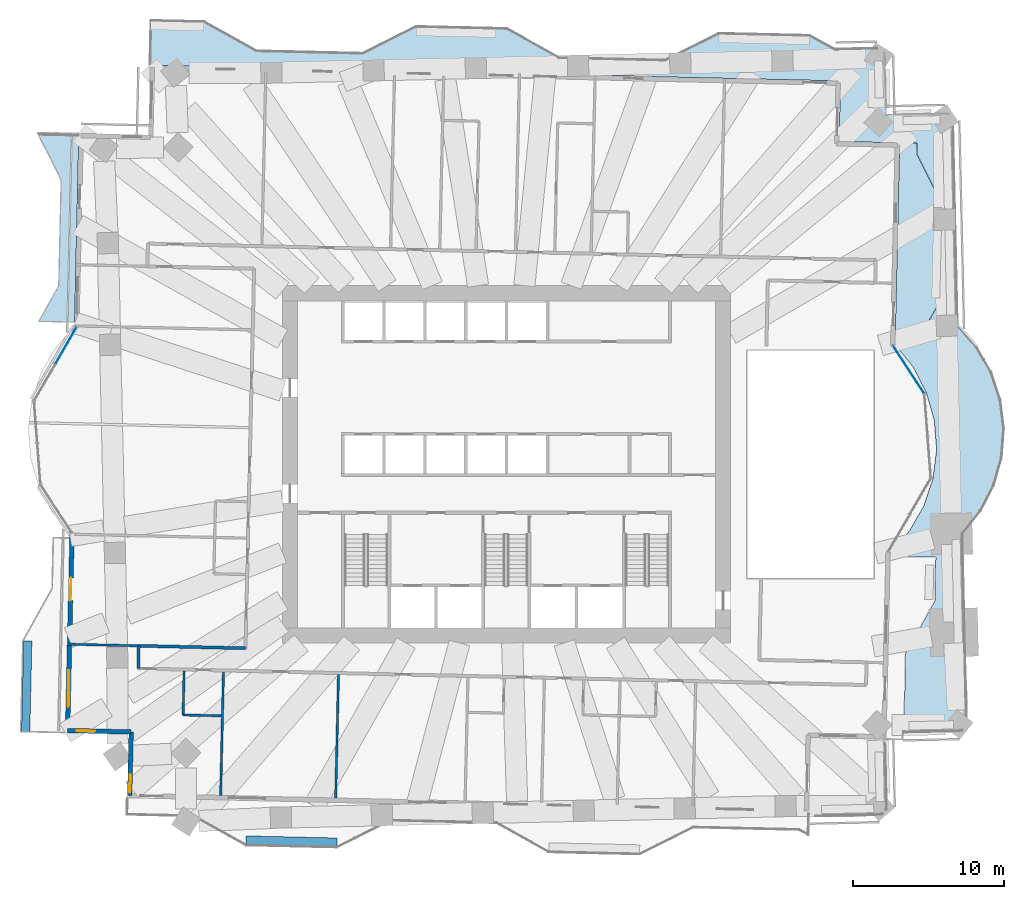
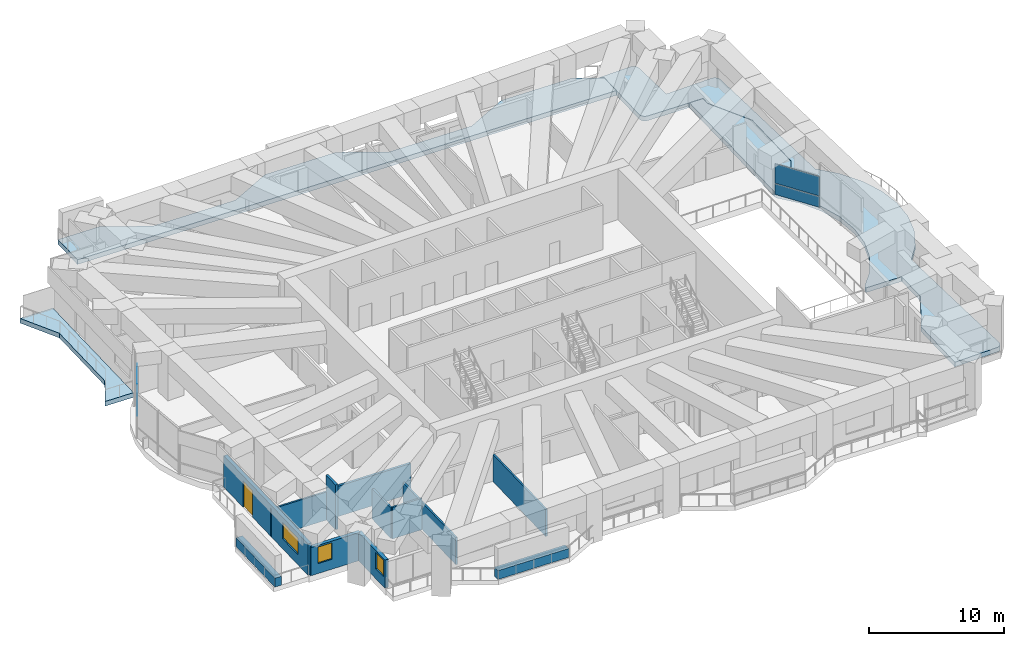
# One storey, part 9 of 20: 12 walls, 4 plates, 4 slabs, 3 windows, 1 door, 4 openings, 2 elements without a shape of their own.
"""IFC4 building model written with IfcOpenShell, lengths in metres."""

from ifc_helpers import new_model, si_unit, direction, frame, frame_2d, origin, origin_2d, place, context, subcontext, project, spatial, polyline, rectangle, outline, extrude, material, layer, layer_set, type_object, element, fill, aggregate, save


model = new_model("IFC4")

# Units and contexts
model_context = context("Model", 3, precision=1e-05, world=origin(), true_north=direction((0.0, 1.0)))
body_context = subcontext(model_context, "Body", "Model", "MODEL_VIEW")
ifc_project = project(units=[si_unit("LENGTHUNIT", "METRE"), si_unit("AREAUNIT", "SQUARE_METRE"), si_unit("VOLUMEUNIT", "CUBIC_METRE"), si_unit("PLANEANGLEUNIT", "RADIAN"), si_unit("MASSUNIT", "GRAM", prefix="KILO")], contexts=[model_context])

# Site, building, storey
site_placement = place(None, origin())
site = spatial("IfcSite", under=ifc_project, at=site_placement, CompositionType="ELEMENT")
building_placement = place(site_placement, origin())
building = spatial("IfcBuilding", under=site, at=building_placement, Name="Mangrove Gate Tower", CompositionType="ELEMENT")
storey_placement = place(building_placement, frame((0.0, 0.0, 97.300048828125)))
storey = spatial("IfcBuildingStorey", under=building, at=storey_placement, Name="L24", CompositionType="ELEMENT", Elevation=97.300048828125)

# Slabs
ifc_material_1 = material(Name="Porcelain tile")
ifc_layer_1 = layer(ifc_material_1, 0.02001953125, Name="Tile finish")
ifc_material_2 = material(Name="Cement sand screed")
ifc_layer_2 = layer(ifc_material_2, 0.0400390625, Name="Screed laid to falls")
ifc_material_3 = material(Name="Bituminous waterproofing membrane")
ifc_layer_3 = layer(ifc_material_3, 0.00390625, Name="Waterproofing")
ifc_material_4 = material(Name="Concrete C40/50", Category="concrete")
ifc_layer_4 = layer(ifc_material_4, 0.340087890625, Name="Balcony structural slab")
ifc_material_5 = material(Name="Limestone", Category="masonry")
ifc_layer_5 = layer(ifc_material_5, 0.01611328125, Name="Soffit lining")
ifc_layer_set_1 = layer_set([ifc_layer_1, ifc_layer_2, ifc_layer_3, ifc_layer_4, ifc_layer_5], Name="Balcony slab 420 C40/50")
slab_type_1 = type_object("IfcSlabType", Name="Balcony slab 420 C40/50", PredefinedType="FLOOR", material=ifc_layer_set_1)
slab_1_placement = place(storey_placement, frame((0.0, 0.0, -0.420166015625)))
element("IfcSlab", 1, at=slab_1_placement, inside=storey, type_object=slab_type_1, Name="BALCONY L24 E1", PredefinedType="FLOOR", context=body_context, shape_type="SweptSolid", body=[
    extrude(outline(polyline([(27.12890625, 8.125), (28.712890625, 10.965087890625), (28.84912109375, 16.962890625), (27.0791015625, 20.50390625), (27.094970703125, 21.2041015625), (25.955078125, 21.22998046875), (25.93896484375, 20.530029296875), (25.860107421875, 17.031005859375), (25.72412109375, 11.032958984375), (25.658935546875, 8.158935546875), (27.12890625, 8.125)])), origin(), (0.0, 0.0, 1.0), 0.420166015625),
])
slab_2_placement = place(storey_placement, frame((0.0, 0.0, -0.420166015625)))
element("IfcSlab", 2, at=slab_2_placement, inside=storey, type_object=slab_type_1, Name="BALCONY L24 N0", PredefinedType="FLOOR", context=body_context, shape_type="SweptSolid", body=[
    extrude(outline(polyline([(22.090087890625, 27.197021484375), (20.010986328125, 28.35693359375), (14.012939453125, 28.492919921875), (10.471923828125, 26.722900390625), (3.47412109375, 26.881103515625), (0.01708984375, 28.81005859375), (-5.98193359375, 28.946044921875), (-9.52294921875, 27.177001953125), (-16.52099609375, 27.3349609375), (-19.97802734375, 29.263916015625), (-23.48095703125, 29.343994140625), (-23.549072265625, 26.35400390625), (3.447998046875, 25.741943359375), (22.047119140625, 25.320068359375), (22.090087890625, 27.197021484375)])), origin(), (0.0, 0.0, 1.0), 0.420166015625),
])
slab_3_placement = place(storey_placement, frame((0.0, 0.0, -0.420166015625)))
element("IfcSlab", 3, at=slab_3_placement, inside=storey, type_object=slab_type_1, Name="BALCONY L24 W0", PredefinedType="FLOOR", context=body_context, shape_type="SweptSolid", body=[
    extrude(outline(polyline([(-31.030029296875, 21.923095703125), (-29.4619140625, 18.787109375), (-29.62109375, 11.7880859375), (-30.929931640625, 9.443115234375), (-28.534912109375, 9.387939453125), (-28.48095703125, 11.761962890625), (-28.322998046875, 18.760986328125), (-28.251953125, 21.860107421875), (-31.030029296875, 21.923095703125)])), origin(), (0.0, 0.0, 1.0), 0.420166015625),
])

# Curtain wall, plates
ifc_material_6 = material(Name="Aluminium and glass curtain wall", Category="aluminium")
curtain_wall_type = type_object("IfcCurtainWallType", Name="Sky-lounge glazing wall", PredefinedType="NOTDEFINED", material=ifc_material_6)
curtain_wall_1_placement = place(storey_placement, origin())
curtain_wall_1 = element("IfcCurtainWall", 4, at=curtain_wall_1_placement, inside=storey, type_object=curtain_wall_type, Name="Sky-lounge glazing E1f3", PredefinedType="NOTDEFINED")
ifc_material_7 = material(Name="Laminated low-e glass", Category="glass")
ifc_layer_6 = layer(ifc_material_7, 0.030029296875)
ifc_layer_set_2 = layer_set([ifc_layer_6], Name="Sky-lounge glazing panel 30")
plate_type = type_object("IfcPlateType", Name="Sky-lounge glazing panel 30", PredefinedType="CURTAIN_PANEL", material=ifc_layer_set_2)
plate_1_placement = place(storey_placement, frame((26.5439453125, 6.25927734375, 0.0), z_axis=(0.0, 0.0, 1.0), x_axis=(-0.546235085235, 0.837631918959, 0.0)))
plate_1 = element("IfcPlate", 5, at=plate_1_placement, type_object=plate_type, Name="CWK panel 1.1", PredefinedType="CURTAIN_PANEL", context=body_context, shape_type="SweptSolid", body=[
    extrude(rectangle(XDim=3.696044921875, YDim=0.030029296875, at=origin_2d()), origin(), (0.0, 0.0, 1.0), 0.969970703125),
])
plate_2_placement = place(storey_placement, frame((26.5439453125, 6.25927734375, 1.02978515625), z_axis=(0.0, 0.0, 1.0), x_axis=(-0.546235085235, 0.837631918959, 0.0)))
plate_2 = element("IfcPlate", 6, at=plate_2_placement, type_object=plate_type, Name="CWK panel 1.2", PredefinedType="CURTAIN_PANEL", context=body_context, shape_type="SweptSolid", body=[
    extrude(rectangle(XDim=3.696044921875, YDim=0.030029296875, at=origin_2d()), origin(), (0.0, 0.0, 1.0), 1.760009765625),
])
aggregate(curtain_wall_1, [plate_1, plate_2])

curtain_wall_2_placement = place(storey_placement, origin())
curtain_wall_2 = element("IfcCurtainWall", 7, at=curtain_wall_2_placement, inside=storey, type_object=curtain_wall_type, Name="Sky-lounge glazing W9f1", PredefinedType="NOTDEFINED")
plate_3_placement = place(storey_placement, frame((-29.105712890625, 7.846435546875, 0.0), z_axis=(0.0, 0.0, 1.0), x_axis=(-0.500418160284, -0.865783844189, 0.0)))
plate_3 = element("IfcPlate", 8, at=plate_3_placement, type_object=plate_type, Name="CWK panel 1.1", PredefinedType="CURTAIN_PANEL", context=body_context, shape_type="SweptSolid", body=[
    extrude(rectangle(XDim=2.73095703125, YDim=0.030029296875, at=origin_2d()), origin(), (0.0, 0.0, 1.0), 0.969970703125),
])
plate_4_placement = place(storey_placement, frame((-29.105712890625, 7.846435546875, 1.02978515625), z_axis=(0.0, 0.0, 1.0), x_axis=(-0.500418160284, -0.865783844189, 0.0)))
plate_4 = element("IfcPlate", 9, at=plate_4_placement, type_object=plate_type, Name="CWK panel 1.2", PredefinedType="CURTAIN_PANEL", context=body_context, shape_type="SweptSolid", body=[
    extrude(rectangle(XDim=2.73095703125, YDim=0.030029296875, at=origin_2d()), origin(), (0.0, 0.0, 1.0), 1.760009765625),
])
aggregate(curtain_wall_2, [plate_3, plate_4])

# Slab
ifc_material_8 = material(Name="Granite", Category="masonry")
ifc_layer_7 = layer(ifc_material_8, 0.030029296875, Name="Granite paving")
ifc_layer_8 = layer(ifc_material_2, 0.0400390625, Name="Bedding screed")
ifc_layer_9 = layer(ifc_material_3, 0.0048828125, Name="Waterproofing")
ifc_material_9 = material(Name="Extruded polystyrene insulation")
ifc_layer_10 = layer(ifc_material_9, 0.0400390625, Name="Insulation")
ifc_layer_11 = layer(ifc_material_4, 0.304931640625, Name="Terrace structural slab")
ifc_layer_set_3 = layer_set([ifc_layer_7, ifc_layer_8, ifc_layer_9, ifc_layer_10, ifc_layer_11], Name="Terrace slab C40/50")
slab_type_2 = type_object("IfcSlabType", Name="Terrace slab C40/50", PredefinedType="FLOOR", material=ifc_layer_set_3)
slab_4_placement = place(storey_placement, frame((0.0, 0.0, -0.420166015625)))
element("IfcSlab", 10, at=slab_4_placement, inside=storey, type_object=slab_type_2, Name="TERRACE L24 1", PredefinedType="FLOOR", context=body_context, shape_type="SweptSolid", body=[
    extrude(outline(polyline([(21.742919921875, 27.4140625), (22.10009765625, 27.214111328125), (22.10107421875, 27.212890625), (22.10302734375, 27.2119140625), (22.10400390625, 27.2109375), (22.10595703125, 27.208984375), (22.10693359375, 27.2080078125), (22.10791015625, 27.2060546875), (22.10888671875, 27.2041015625), (22.10888671875, 27.201904296875), (22.110107421875, 27.199951171875), (22.110107421875, 27.198974609375), (22.110107421875, 27.197021484375), (22.06689453125, 25.320068359375), (22.06689453125, 25.318115234375), (22.06689453125, 25.31591796875), (22.06591796875, 25.31396484375), (22.06494140625, 25.31201171875), (22.06396484375, 25.31005859375), (22.06298828125, 25.30908203125), (22.06201171875, 25.306884765625), (22.06103515625, 25.305908203125), (22.05908203125, 25.303955078125), (22.05810546875, 25.302978515625), (22.055908203125, 25.302001953125), (22.053955078125, 25.301025390625), (22.052001953125, 25.301025390625), (22.050048828125, 25.300048828125), (22.049072265625, 25.300048828125), (22.047119140625, 25.300048828125), (21.968017578125, 21.821044921875), (21.968994140625, 21.77099609375), (21.97509765625, 21.722900390625), (21.986083984375, 21.675048828125), (22.0009765625, 21.6279296875), (22.02099609375, 21.583984375), (22.0458984375, 21.541015625), (22.073974609375, 21.5009765625), (22.10595703125, 21.464111328125), (22.14208984375, 21.429931640625), (22.179931640625, 21.39990234375), (22.221923828125, 21.3740234375), (22.26611328125, 21.35205078125), (22.31201171875, 21.333984375), (22.35888671875, 21.321044921875), (22.406982421875, 21.31298828125), (22.4560546875, 21.30908203125), (25.93505859375, 21.22998046875), (25.93505859375, 21.22998046875), (25.93505859375, 21.23193359375), (25.93505859375, 21.23388671875), (25.93603515625, 21.236083984375), (25.93701171875, 21.238037109375), (25.93798828125, 21.239990234375), (25.93896484375, 21.240966796875), (25.93994140625, 21.242919921875), (25.94091796875, 21.243896484375), (25.943115234375, 21.24609375), (25.944091796875, 21.2470703125), (25.946044921875, 21.248046875), (25.947998046875, 21.2490234375), (25.949951171875, 21.2490234375), (25.951904296875, 21.25), (25.952880859375, 21.25), (25.955078125, 21.25), (27.094970703125, 21.22412109375), (27.096923828125, 21.22412109375), (27.09912109375, 21.22412109375), (27.10107421875, 21.222900390625), (27.10302734375, 21.221923828125), (27.10498046875, 21.220947265625), (27.10595703125, 21.219970703125), (27.10791015625, 21.218994140625), (27.10888671875, 21.218017578125), (27.111083984375, 21.216064453125), (27.112060546875, 21.215087890625), (27.113037109375, 21.212890625), (27.114013671875, 21.2109375), (27.114013671875, 21.208984375), (27.114990234375, 21.20703125), (27.114990234375, 21.2060546875), (27.114990234375, 21.2041015625), (27.09912109375, 20.509033203125), (28.866943359375, 16.971923828125), (28.867919921875, 16.969970703125), (28.867919921875, 16.968017578125), (28.868896484375, 16.966064453125), (28.868896484375, 16.964111328125), (28.868896484375, 16.962890625), (28.73291015625, 10.965087890625), (28.73291015625, 10.962890625), (28.73291015625, 10.9609375), (28.73193359375, 10.958984375), (28.73095703125, 10.95703125), (28.72998046875, 10.955078125), (27.14599609375, 8.114990234375), (27.14501953125, 8.114013671875), (27.14404296875, 8.112060546875), (27.14306640625, 8.111083984375), (27.14111328125, 8.10888671875), (27.139892578125, 8.10791015625), (27.137939453125, 8.10693359375), (27.135986328125, 8.10595703125), (27.134033203125, 8.10595703125), (27.132080078125, 8.10498046875), (27.131103515625, 8.10498046875), (27.12890625, 8.10498046875), (25.658935546875, 8.138916015625), (25.657958984375, 8.138916015625), (25.656982421875, 8.091064453125), (25.657958984375, 8.041015625), (25.6650390625, 7.990966796875), (25.676025390625, 7.943115234375), (25.69189453125, 7.89599609375), (25.712890625, 7.85009765625), (25.738037109375, 7.806884765625), (25.76708984375, 7.76708984375), (26.842041015625, 6.426025390625), (26.84912109375, 6.416015625), (26.85498046875, 6.405029296875), (27.720947265625, 4.72705078125), (27.72607421875, 4.716064453125), (27.72998046875, 4.7041015625), (28.24609375, 2.887939453125), (28.248046875, 2.8759765625), (28.25, 2.864013671875), (28.39501953125, 0.98193359375), (28.39599609375, 0.968994140625), (28.39501953125, 0.95703125), (28.1640625, -0.9169921875), (28.162109375, -0.928955078125), (28.158935546875, -0.94091796875), (27.56103515625, -2.73193359375), (27.556884765625, -2.742919921875), (27.551025390625, -2.75390625), (26.610107421875, -4.39111328125), (26.60400390625, -4.402099609375), (26.595947265625, -4.410888671875), (25.4609375, -5.701904296875), (25.429931640625, -5.740966796875), (25.403076171875, -5.782958984375), (25.381103515625, -5.826904296875), (25.362060546875, -5.8740234375), (25.34912109375, -5.922119140625), (25.341064453125, -5.970947265625), (25.3369140625, -6.02099609375), (25.3359375, -6.068115234375), (28.324951171875, -6.135986328125), (28.326904296875, -6.135986328125), (28.3291015625, -6.135986328125), (28.3310546875, -6.136962890625), (28.3330078125, -6.137939453125), (28.3349609375, -6.138916015625), (28.3359375, -6.139892578125), (28.337890625, -6.14111328125), (28.339111328125, -6.14208984375), (28.341064453125, -6.14404296875), (28.342041015625, -6.14501953125), (28.343017578125, -6.14697265625), (28.343994140625, -6.14892578125), (28.343994140625, -6.15087890625), (28.344970703125, -6.153076171875), (28.344970703125, -6.154052734375), (28.344970703125, -6.156005859375), (28.279052734375, -9.030029296875), (28.279052734375, -9.031982421875), (28.279052734375, -9.033935546875), (28.278076171875, -9.035888671875), (28.277099609375, -9.0380859375), (28.27587890625, -9.0400390625), (26.35009765625, -12.491943359375), (26.23193359375, -17.696044921875), (29.8798828125, -17.613037109375), (29.928955078125, -17.610107421875), (29.97802734375, -17.60205078125), (30.02490234375, -17.589111328125), (30.071044921875, -17.571044921875), (30.114990234375, -17.549072265625), (30.156005859375, -17.52294921875), (30.195068359375, -17.492919921875), (30.22998046875, -17.458984375), (30.262939453125, -17.422119140625), (30.291015625, -17.382080078125), (30.31494140625, -17.339111328125), (30.3349609375, -17.2939453125), (30.35107421875, -17.248046875), (30.361083984375, -17.199951171875), (30.367919921875, -17.15087890625), (30.368896484375, -17.10205078125), (30.0849609375, -4.593017578125), (30.0849609375, -4.5810546875), (30.092041015625, -4.571044921875), (31.25, -3.126953125), (31.279052734375, -3.0869140625), (31.303955078125, -3.0439453125), (32.135009765625, -1.43310546875), (32.156005859375, -1.387939453125), (32.172119140625, -1.340087890625), (32.6669921875, 0.403076171875), (32.677978515625, 0.451904296875), (32.68408203125, 0.5009765625), (32.823974609375, 2.30908203125), (32.824951171875, 2.35888671875), (32.822021484375, 2.407958984375), (32.60009765625, 4.20703125), (32.592041015625, 4.257080078125), (32.577880859375, 4.304931640625), (32.0048828125, 6.02392578125), (31.987060546875, 6.071044921875), (31.964111328125, 6.114990234375), (31.06103515625, 7.68701171875), (31.033935546875, 7.72802734375), (31.0029296875, 7.76806640625), (29.781005859375, 9.156982421875), (29.77294921875, 9.1669921875), (29.77197265625, 9.178955078125), (29.466064453125, 22.68798828125), (29.4619140625, 22.737060546875), (29.4541015625, 22.784912109375), (29.44091796875, 22.83203125), (29.423095703125, 22.8779296875), (29.402099609375, 22.922119140625), (29.375, 22.962890625), (29.344970703125, 23.001953125), (29.31103515625, 23.0380859375), (29.27392578125, 23.070068359375), (29.23388671875, 23.097900390625), (29.19189453125, 23.1220703125), (29.14697265625, 23.14208984375), (29.10009765625, 23.157958984375), (29.052001953125, 23.1689453125), (29.00390625, 23.175048828125), (28.955078125, 23.176025390625), (25.068115234375, 23.087890625), (25.055908203125, 23.087890625), (25.054931640625, 23.10009765625), (24.967041015625, 26.987060546875), (24.964111328125, 27.035888671875), (24.955078125, 27.083984375), (24.94189453125, 27.131103515625), (24.925048828125, 27.177001953125), (24.903076171875, 27.220947265625), (24.876953125, 27.261962890625), (24.846923828125, 27.301025390625), (24.81298828125, 27.3369140625), (24.77587890625, 27.368896484375), (24.736083984375, 27.39697265625), (24.693115234375, 27.422119140625), (24.64794921875, 27.44091796875), (24.60205078125, 27.45703125), (24.553955078125, 27.468017578125), (24.5048828125, 27.47412109375), (24.4560546875, 27.47509765625), (21.742919921875, 27.4140625)])), origin(), (0.0, 0.0, 1.0), 0.420166015625),
])

# Walls
ifc_material_10 = material(Name="Gypsum board on steel stud, EI 60", Category="steel")
ifc_layer_12 = layer(ifc_material_10, 0.199951171875)
ifc_layer_set_4 = layer_set([ifc_layer_12], Name="Corridor wall EI 60")
wall_type_1 = type_object("IfcWallType", Name="Corridor wall EI 60", PredefinedType="PARTITIONING", material=ifc_layer_set_4)
wall_1_placement = place(storey_placement, frame((-24.3291015625, -13.488037109375, 0.0), z_axis=(0.0, 0.0, 1.0), x_axis=(0.02279537805, 0.999740151609, 0.0)))
element("IfcWall", 11, at=wall_1_placement, inside=storey, type_object=wall_type_1, Name="WALL-L24-015", PredefinedType="PARTITIONING", context=body_context, shape_type="SweptSolid", body=[
    extrude(rectangle(XDim=1.49951171875, YDim=0.199951171875, at=frame_2d((0.749755859375, 0.0))), origin(), (0.0, 0.0, 1.0), 4.050048828125),
])
wall_2_placement = place(storey_placement, frame((-24.298095703125, -11.989013671875, 0.0), z_axis=(0.0, 0.0, 1.0), x_axis=(0.999742853322, -0.022676578901, 0.0)))
element("IfcWall", 12, at=wall_2_placement, inside=storey, type_object=wall_type_1, Name="WALL-L24-018", PredefinedType="PARTITIONING", context=body_context, shape_type="SweptSolid", body=[
    extrude(rectangle(XDim=7.0517578125, YDim=0.199951171875, at=frame_2d((3.52587890625, 0.0))), origin(), (0.0, 0.0, 1.0), 2.75),
])

# Wall, openings, door, window
ifc_layer_13 = layer(ifc_material_5, 0.0400390625, Name="Limestone cladding")
ifc_material_11 = material(Name="Ventilated air gap")
ifc_layer_14 = layer(ifc_material_11, 0.0400390625, Name="Ventilated cavity")
ifc_material_12 = material(Name="Mineral wool insulation")
ifc_layer_15 = layer(ifc_material_12, 0.06005859375, Name="Insulation")
ifc_material_13 = material(Name="Breather membrane")
ifc_layer_16 = layer(ifc_material_13, 0.001953125, Name="Breather membrane")
ifc_material_14 = material(Name="Concrete C20/25 blockwork", Category="masonry")
ifc_layer_17 = layer(ifc_material_14, 0.14990234375, Name="Blockwork backing wall")
ifc_material_15 = material(Name="Gypsum plaster")
ifc_layer_18 = layer(ifc_material_15, 0.008056640625, Name="Internal plaster")
ifc_layer_set_5 = layer_set([ifc_layer_13, ifc_layer_14, ifc_layer_15, ifc_layer_16, ifc_layer_17, ifc_layer_18], Name="External wall 300 limestone cladding")
wall_type_2 = type_object("IfcWallType", Name="External wall 300 limestone cladding", PredefinedType="SOLIDWALL", material=ifc_layer_set_5)
wall_3_placement = place(storey_placement, frame((-28.701904296875, -4.556884765625, 0.0), z_axis=(0.0, 0.0, 1.0), x_axis=(-0.022653729471, -0.999743371341, 0.0)))
wall_3 = element("IfcWall", 13, at=wall_3_placement, inside=storey, type_object=wall_type_2, Name="WALL-L24-W10", PredefinedType="SOLIDWALL", context=body_context, shape_type="SweptSolid", body=[
    extrude(rectangle(XDim=13.029541015625, YDim=0.300048828125, at=frame_2d((6.5146484375, 0.0))), origin(), (0.0, 0.0, 1.0), 2.849853515625),
])
opening_1_placement = place(wall_3_placement, frame((2.94189453125, 0.0, 0.0)))
opening_1 = element("IfcOpeningElement", 14, at=opening_1_placement, cuts=wall_3, Name="Opening BD1", PredefinedType="OPENING", context=body_context, shape_type="SweptSolid", body=[
    extrude(rectangle(XDim=1.5, YDim=2.39990234375, at=frame_2d((0.75, 1.199951171875))), frame((0.0, 0.159912109375, 0.0), z_axis=(0.0, -1.0, 0.0), x_axis=(1.0, 0.0, 0.0)), (0.0, 0.0, 1.0), 0.320068359375),
])
opening_2_placement = place(wall_3_placement, frame((9.053955078125, 0.0, 0.89990234375)))
opening_2 = element("IfcOpeningElement", 15, at=opening_2_placement, cuts=wall_3, Name="Opening W2", PredefinedType="OPENING", context=body_context, shape_type="SweptSolid", body=[
    extrude(rectangle(XDim=2.39990234375, YDim=1.5, at=frame_2d((1.199951171875, 0.75))), frame((0.0, 0.159912109375, 0.0), z_axis=(0.0, -1.0, 0.0), x_axis=(1.0, 0.0, 0.0)), (0.0, 0.0, 1.0), 0.320068359375),
])
ifc_material_16 = material(Name="Aluminium frame with laminated clear glass", Category="aluminium")
door_type = type_object("IfcDoorType", Name="Balcony sliding door 1500x2400", OperationType="SLIDING_TO_LEFT", PredefinedType="DOOR", material=ifc_material_16)
door_placement = place(opening_1_placement, origin())
door = element("IfcDoor", 16, at=door_placement, inside=storey, type_object=door_type, Name="DOOR-L24-W10-1", OperationType="SLIDING_TO_LEFT", OverallHeight=2.39990234375, OverallWidth=1.5, PredefinedType="DOOR", context=body_context, shape_type="SweptSolid", body=[
    extrude(rectangle(XDim=1.5, YDim=2.39990234375, at=frame_2d((0.75, 1.199951171875))), frame((0.0, 0.02490234375, 0.0), z_axis=(0.0, -1.0, 0.0), x_axis=(1.0, 0.0, 0.0)), (0.0, 0.0, 1.0), 0.050048828125),
])
fill(opening_1, door)
ifc_material_17 = material(Name="Aluminium frame with double-glazed low-e glass", Category="aluminium")
window_type_1 = type_object("IfcWindowType", Name="Corner room window 2400x1500", PartitioningType="DOUBLE_PANEL_VERTICAL", PredefinedType="WINDOW", material=ifc_material_17)
window_1_placement = place(opening_2_placement, origin())
window_1 = element("IfcWindow", 17, at=window_1_placement, inside=storey, type_object=window_type_1, Name="WIN-L24-W10-2", OverallHeight=1.5, OverallWidth=2.39990234375, PartitioningType="DOUBLE_PANEL_VERTICAL", PredefinedType="WINDOW", context=body_context, shape_type="SweptSolid", body=[
    extrude(rectangle(XDim=2.39990234375, YDim=1.5, at=frame_2d((1.199951171875, 0.75))), frame((0.0, 0.030029296875, 0.0), z_axis=(0.0, -1.0, 0.0), x_axis=(1.0, 0.0, 0.0)), (0.0, 0.0, 1.0), 0.06005859375),
])
fill(opening_2, window_1)

# Wall, opening, window
wall_4_placement = place(storey_placement, frame((-28.9970703125, -17.5830078125, 0.0), z_axis=(0.0, 0.0, 1.0), x_axis=(0.999739037152, -0.022844202663, 0.0)))
wall_4 = element("IfcWall", 18, at=wall_4_placement, inside=storey, type_object=wall_type_2, Name="WALL-L24-S11", PredefinedType="SOLIDWALL", context=body_context, shape_type="SweptSolid", body=[
    extrude(rectangle(XDim=4.199951171875, YDim=0.300048828125, at=frame_2d((2.10009765625, 0.0))), origin(), (0.0, 0.0, 1.0), 2.550048828125),
])
opening_3_placement = place(wall_4_placement, frame((0.611083984375, 0.0, 0.89990234375)))
opening_3 = element("IfcOpeningElement", 19, at=opening_3_placement, cuts=wall_4, Name="Opening W1", PredefinedType="OPENING", context=body_context, shape_type="SweptSolid", body=[
    extrude(rectangle(XDim=1.199951171875, YDim=1.5, at=frame_2d((0.60009765625, 0.75))), frame((0.0, 0.159912109375, 0.0), z_axis=(0.0, -1.0, 0.0), x_axis=(1.0, 0.0, 0.0)), (0.0, 0.0, 1.0), 0.320068359375),
])
ifc_material_18 = material(Name="Aluminium frame with double-glazed low-e glass", Category="aluminium")
window_type_2 = type_object("IfcWindowType", Name="Side lite 1200x1500", PartitioningType="SINGLE_PANEL", PredefinedType="WINDOW", material=ifc_material_18)
window_2_placement = place(opening_3_placement, origin())
window_2 = element("IfcWindow", 20, at=window_2_placement, inside=storey, type_object=window_type_2, Name="WIN-L24-S11-1", OverallHeight=1.5, OverallWidth=1.199951171875, PartitioningType="SINGLE_PANEL", PredefinedType="WINDOW", context=body_context, shape_type="SweptSolid", body=[
    extrude(rectangle(XDim=1.199951171875, YDim=1.5, at=frame_2d((0.60009765625, 0.75))), frame((0.0, 0.030029296875, 0.0), z_axis=(0.0, -1.0, 0.0), x_axis=(1.0, 0.0, 0.0)), (0.0, 0.0, 1.0), 0.06005859375),
])
fill(opening_3, window_2)

wall_5_placement = place(storey_placement, frame((-24.798095703125, -17.678955078125, 0.0), z_axis=(0.0, 0.0, 1.0), x_axis=(-0.022844202663, -0.999739037152, 0.0)))
wall_5 = element("IfcWall", 21, at=wall_5_placement, inside=storey, type_object=wall_type_2, Name="WALL-L24-W12", PredefinedType="SOLIDWALL", context=body_context, shape_type="SweptSolid", body=[
    extrude(rectangle(XDim=4.199951171875, YDim=0.300048828125, at=frame_2d((2.10009765625, 0.0))), origin(), (0.0, 0.0, 1.0), 2.550048828125),
])
opening_4_placement = place(wall_5_placement, frame((2.778076171875, 0.0, 0.89990234375)))
opening_4 = element("IfcOpeningElement", 22, at=opening_4_placement, cuts=wall_5, Name="Opening W1", PredefinedType="OPENING", context=body_context, shape_type="SweptSolid", body=[
    extrude(rectangle(XDim=1.199951171875, YDim=1.5, at=frame_2d((0.60009765625, 0.75))), frame((0.0, 0.159912109375, 0.0), z_axis=(0.0, -1.0, 0.0), x_axis=(1.0, 0.0, 0.0)), (0.0, 0.0, 1.0), 0.320068359375),
])
window_3_placement = place(opening_4_placement, origin())
window_3 = element("IfcWindow", 23, at=window_3_placement, inside=storey, type_object=window_type_2, Name="WIN-L24-W12-1", OverallHeight=1.5, OverallWidth=1.199951171875, PartitioningType="SINGLE_PANEL", PredefinedType="WINDOW", context=body_context, shape_type="SweptSolid", body=[
    extrude(rectangle(XDim=1.199951171875, YDim=1.5, at=frame_2d((0.60009765625, 0.75))), frame((0.0, 0.030029296875, 0.0), z_axis=(0.0, -1.0, 0.0), x_axis=(1.0, 0.0, 0.0)), (0.0, 0.0, 1.0), 0.06005859375),
])
fill(opening_4, window_3)

# Walls
ifc_material_19 = material(Name="Gypsum board on steel stud, EI 60", Category="steel")
ifc_layer_19 = layer(ifc_material_19, 0.14990234375)
ifc_layer_set_6 = layer_set([ifc_layer_19], Name="Party wall 150 EI 60")
wall_type_3 = type_object("IfcWallType", Name="Party wall 150 EI 60", PredefinedType="PARTITIONING", material=ifc_layer_set_6)
wall_6_placement = place(storey_placement, frame((-18.887939453125, -21.864013671875, 0.0), z_axis=(0.0, 0.0, 1.0), x_axis=(0.022706435224, 0.999742175663, 0.0)))
element("IfcWall", 24, at=wall_6_placement, inside=storey, type_object=wall_type_3, Name="WALL-L24-001", PredefinedType="PARTITIONING", context=body_context, shape_type="SweptSolid", body=[
    extrude(rectangle(XDim=8.150146484375, YDim=0.14990234375, at=frame_2d((4.0751953125, 0.0))), origin(), (0.0, 0.0, 1.0), 2.449951171875),
])
wall_7_placement = place(storey_placement, frame((-11.2900390625, -22.037109375, 0.0), z_axis=(0.0, 0.0, 1.0), x_axis=(0.022703035671, 0.999742252869, 0.0)))
element("IfcWall", 25, at=wall_7_placement, inside=storey, type_object=wall_type_3, Name="WALL-L24-002", PredefinedType="PARTITIONING", context=body_context, shape_type="SweptSolid", body=[
    extrude(rectangle(XDim=8.1513671875, YDim=0.14990234375, at=frame_2d((4.07568359375, 0.0))), origin(), (0.0, 0.0, 1.0), 2.449951171875),
])
wall_8_placement = place(storey_placement, frame((-21.3720703125, -16.555908203125, 0.0), z_axis=(0.0, 0.0, 1.0), x_axis=(0.999743977673, -0.022626955293, 0.0)))
element("IfcWall", 26, at=wall_8_placement, inside=storey, type_object=wall_type_3, Name="WALL-L24-007", PredefinedType="PARTITIONING", context=body_context, shape_type="SweptSolid", body=[
    extrude(rectangle(XDim=2.52490234375, YDim=0.14990234375, at=frame_2d((1.262451171875, 0.0))), origin(), (0.0, 0.0, 1.0), 2.849853515625),
])
wall_9_placement = place(storey_placement, frame((-21.367919921875, -16.555908203125, 0.0), z_axis=(0.0, 0.0, 1.0), x_axis=(0.022732880677, 0.999741574676, 0.0)))
element("IfcWall", 27, at=wall_9_placement, inside=storey, type_object=wall_type_3, Name="WALL-L24-008", PredefinedType="PARTITIONING", context=body_context, shape_type="SweptSolid", body=[
    extrude(rectangle(XDim=2.899658203125, YDim=0.14990234375, at=frame_2d((1.44970703125, 0.0))), origin(), (0.0, 0.0, 1.0), 2.75),
])
wall_10_placement = place(storey_placement, frame((-29.01806640625, -11.881103515625, 0.0), z_axis=(0.0, 0.0, 1.0), x_axis=(0.999738756298, -0.022856490471, 0.0)))
element("IfcWall", 28, at=wall_10_placement, inside=storey, type_object=wall_type_3, Name="WALL-L24-017", PredefinedType="PARTITIONING", context=body_context, shape_type="SweptSolid", body=[
    extrude(rectangle(XDim=4.72119140625, YDim=0.14990234375, at=frame_2d((2.360595703125, 0.0))), origin(), (0.0, 0.0, 1.0), 2.550048828125),
])
ifc_material_20 = material(Name="Concrete C32/40", Category="concrete")
ifc_layer_20 = layer(ifc_material_20, 0.199951171875, Name="Planter trough wall")
ifc_layer_21 = layer(ifc_material_3, 0.0048828125, Name="Waterproofing")
ifc_material_21 = material(Name="Drainage board and gravel")
ifc_layer_22 = layer(ifc_material_21, 0.044921875, Name="Drainage layer")
ifc_material_22 = material(Name="Planting soil")
ifc_layer_23 = layer(ifc_material_22, 0.300048828125, Name="Growing medium")
ifc_layer_set_7 = layer_set([ifc_layer_20, ifc_layer_21, ifc_layer_22, ifc_layer_23], Name="Planter wall 550 C32/40")
wall_type_4 = type_object("IfcWallType", Name="Planter wall 550 C32/40", PredefinedType="USERDEFINED", material=ifc_layer_set_7)
wall_11_placement = place(storey_placement, frame((-31.764892578125, -17.669921875, 0.0), z_axis=(0.0, 0.0, 1.0), x_axis=(0.022666865795, 0.999743073592, 0.0)))
element("IfcWall", 29, at=wall_11_placement, inside=storey, type_object=wall_type_4, Name="PLANTER L24 W1.1", ObjectType="PLANTER", PredefinedType="USERDEFINED", context=body_context, shape_type="SweptSolid", body=[
    extrude(rectangle(XDim=5.999267578125, YDim=0.550048828125, at=frame_2d((2.99951171875, 0.0))), origin(), (0.0, 0.0, 1.0), 0.800048828125),
])
wall_12_placement = place(storey_placement, frame((-17.205078125, -24.818115234375, 0.0), z_axis=(0.0, 0.0, 1.0), x_axis=(0.999743178102, -0.022662255828, 0.0)))
element("IfcWall", 30, at=wall_12_placement, inside=storey, type_object=wall_type_4, Name="PLANTER L24 S0.1", ObjectType="PLANTER", PredefinedType="USERDEFINED", context=body_context, shape_type="SweptSolid", body=[
    extrude(rectangle(XDim=6.00048828125, YDim=0.550048828125, at=frame_2d((3.000244140625, 0.0))), origin(), (0.0, 0.0, 1.0), 0.800048828125),
])

save(model, "model.ifc")
